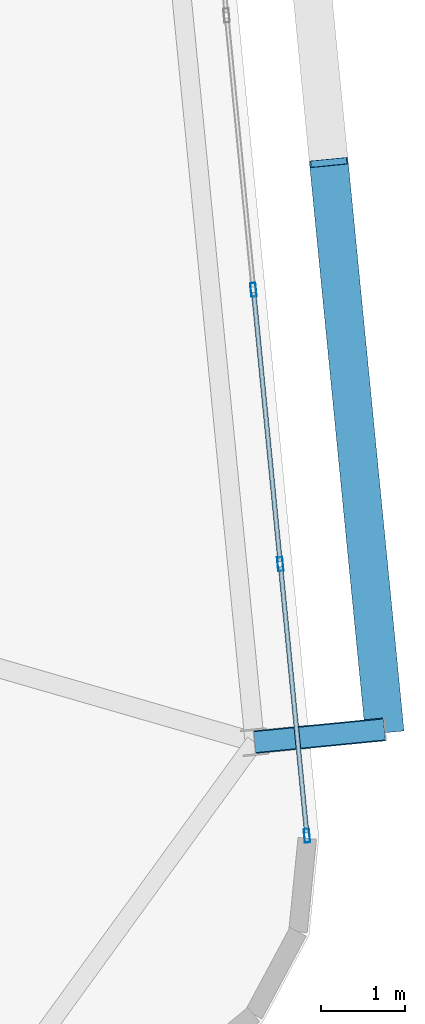
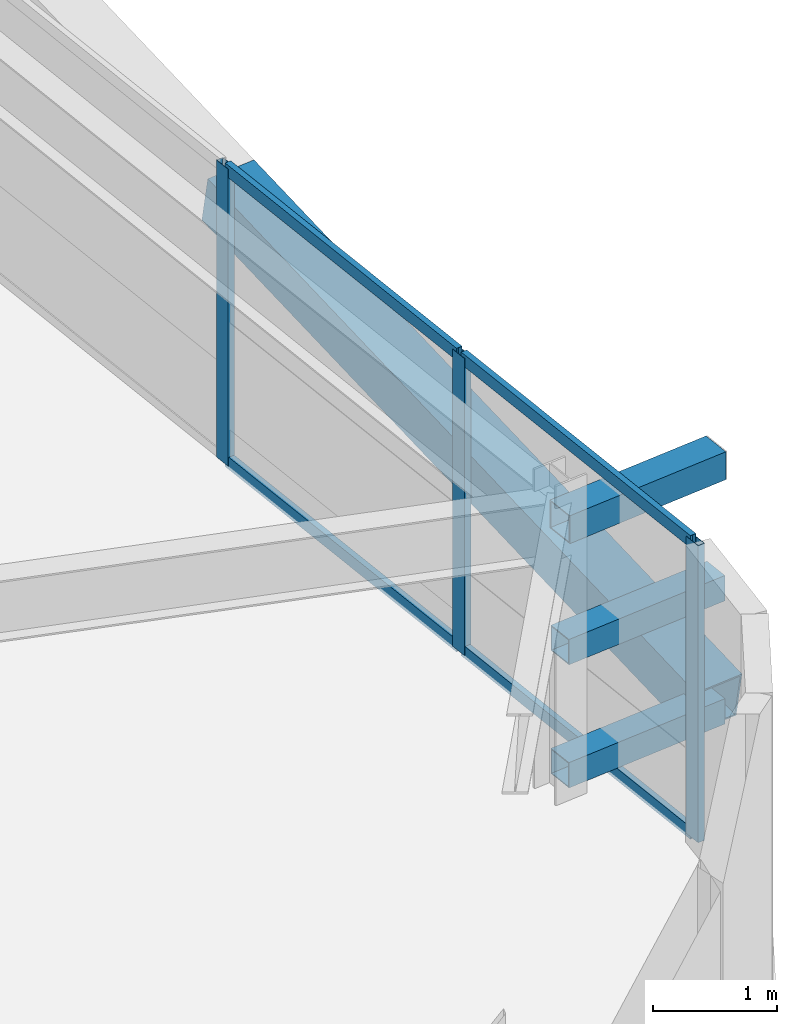
# One storey, part 22 of 53: 11 members, 1 element without a shape of its own.
"""IFC4 building model written with IfcOpenShell, lengths in metres."""

from ifc_helpers import new_model, si_unit, direction, frame, origin, origin_2d, place, context, subcontext, project, spatial, hollow_rectangle, extrude, source, transform, mapped, material, layer, layer_set, material_profile, profile_set, type_object, element, aggregate, save


model = new_model("IFC4")

# Units and contexts
model_context = context("Model", 3, precision=1e-05, world=origin(), true_north=direction((0.0, 1.0)))
body_context = subcontext(model_context, "Body", "Model", "MODEL_VIEW")
ifc_project = project(units=[si_unit("LENGTHUNIT", "METRE"), si_unit("AREAUNIT", "SQUARE_METRE"), si_unit("VOLUMEUNIT", "CUBIC_METRE"), si_unit("PLANEANGLEUNIT", "RADIAN"), si_unit("MASSUNIT", "GRAM", prefix="KILO")], contexts=[model_context])

# Site, building, storey
site_placement = place(None, origin())
site = spatial("IfcSite", under=ifc_project, at=site_placement, CompositionType="ELEMENT")
building_placement = place(site_placement, origin())
building = spatial("IfcBuilding", under=site, at=building_placement, Name="Taldren Reach Tower", CompositionType="ELEMENT")
storey_placement = place(building_placement, frame((0.0, 0.0, 80.85009765625)))
storey = spatial("IfcBuildingStorey", under=building, at=storey_placement, Name="L24", CompositionType="ELEMENT", Elevation=80.85009765625)

# Members
ifc_material_1 = material(Name="Steel Gr 450 (C450L0)", Category="steel")
ifc_material_profile_1 = material_profile(ifc_material_1, hollow_rectangle(XDim=0.27490234375, YDim=0.27490234375, WallThickness=0.00927734375, at=origin_2d()), Name="275x275x9.3SHS")
ifc_profile_set_1 = profile_set([ifc_material_profile_1], Name="Steel Gr 450 (C450L0)")
member_type_1 = type_object("IfcMemberType", Name="MB-TIE273", PredefinedType="STRUT", material=ifc_profile_set_1)
shared_shape_1 = source(origin(), body_context, "Body", "SweptSolid", [
    extrude(hollow_rectangle(XDim=0.27490234375, YDim=0.27490234375, WallThickness=0.00927734375, at=origin_2d()), origin(), (0.0, 0.0, 1.0), 1.550048828125),
])
member_1_placement = place(storey_placement, frame((65.8916015625, 8.483642578125, 2.64990234375), z_axis=(0.995236318924, 0.097491894511, 0.0), x_axis=(-0.097491894511, 0.995236318924, 0.0)))
element("IfcMember", 1, at=member_1_placement, inside=storey, type_object=member_type_1, Name="Exoskeleton diaphragm tie strut B2-E1 L24", PredefinedType="STRUT", context=body_context, shape_type="MappedRepresentation", body=[
    mapped(shared_shape_1, transform((0.0, 0.0, 0.0), scale=1.0)),
])
ifc_material_2 = material(Name="Steel Gr 350 (C350L0)", Category="steel")
ifc_material_profile_2 = material_profile(ifc_material_2, hollow_rectangle(XDim=0.25, YDim=0.25, WallThickness=0.010009765625, at=origin_2d()), Name="250x250x10.0SHS")
ifc_profile_set_2 = profile_set([ifc_material_profile_2], Name="Steel Gr 350 (C350L0)")
member_type_2 = type_object("IfcMemberType", Name="MB-POST250", PredefinedType="POST", material=ifc_profile_set_2)
shared_shape_2 = source(origin(), body_context, "Body", "SweptSolid", [
    extrude(hollow_rectangle(XDim=0.25, YDim=0.25, WallThickness=0.010009765625, at=origin_2d()), origin(), (0.0, 0.0, 1.0), 1.550048828125),
])
for number, where, z_axis, x_axis, name in (
    (2, (65.8916015625, 8.483642578125, 0.219970703125), (0.995236318924, 0.097491894511, 0.0), (-0.097491894511, 0.995236318924, 0.0), "Exoskeleton base diaphragm tie strut B2-E1 L24"),
    (3, (65.8916015625, 8.483642578125, 1.434814453125), (0.995236318924, 0.097491894511, 0.0), (-0.097491894511, 0.995236318924, 0.0), "Exoskeleton mid-tier diaphragm tie B2-E1 L24"),
):
    element("IfcMember", number, at=place(storey_placement, frame(where, z_axis=z_axis, x_axis=x_axis)), inside=storey, type_object=member_type_2, Name=name, PredefinedType="POST", context=body_context, shape_type="MappedRepresentation", body=[
        mapped(shared_shape_2, transform((0.0, 0.0, 0.0), scale=1.0)),
    ])
ifc_material_profile_3 = material_profile(ifc_material_1, hollow_rectangle(XDim=0.4599609375, YDim=0.4599609375, WallThickness=0.01611328125, at=origin_2d()), Name="460x460x16.0SHS")
ifc_profile_set_3 = profile_set([ifc_material_profile_3], Name="Steel Gr 450 (C450L0)")
member_type_3 = type_object("IfcMemberType", Name="MB-EXO457", PredefinedType="BRACE", material=ifc_profile_set_3)
shared_shape_3 = source(origin(), body_context, "Body", "SweptSolid", [
    extrude(hollow_rectangle(XDim=0.4599609375, YDim=0.4599609375, WallThickness=0.01611328125, at=origin_2d()), origin(), (0.0, 0.0, 1.0), 6.883056640625),
])
member_2_placement = place(storey_placement, frame((67.434326171875, 8.634765625, 0.219970703125), z_axis=(-0.096052059581, 0.979603316657, 0.176497432967), x_axis=(-0.995227290009, -0.097584021339, 0.0)))
element("IfcMember", 4, at=member_2_placement, inside=storey, type_object=member_type_3, Name="Exoskeleton Diagrid Brace B2-E1 L24", PredefinedType="BRACE", context=body_context, shape_type="MappedRepresentation", body=[
    mapped(shared_shape_3, transform((0.0, 0.0, 0.0), scale=1.0)),
])

# Curtain wall, members
ifc_material_3 = material(Name="Aluminium and Low-E Glass Unitised System", Category="aluminium")
ifc_layer = layer(ifc_material_3, 0.159912109375)
ifc_layer_set = layer_set([ifc_layer], Name="Aluminium and Low-E Glass Unitised System")
curtain_wall_type = type_object("IfcCurtainWallType", Name="CW-SYS-3", PredefinedType="NOTDEFINED", material=ifc_layer_set)
curtain_wall_placement = place(storey_placement, origin())
curtain_wall = element("IfcCurtainWall", 5, at=curtain_wall_placement, inside=storey, type_object=curtain_wall_type, Name="Unitised curtain wall CW-L24-E", PredefinedType="NOTDEFINED")
ifc_material_4 = material(Name="Anodised Aluminium 6063-T6", Category="aluminium")
ifc_material_profile_4 = material_profile(ifc_material_4, hollow_rectangle(XDim=0.06494140625, YDim=0.1650390625, WallThickness=0.00390625, at=origin_2d()), Name="ALU-165x65x4RHS")
ifc_profile_set_4 = profile_set([ifc_material_profile_4], Name="Anodised Aluminium 6063-T6")
member_type_4 = type_object("IfcMemberType", Name="CW-MUL-165", PredefinedType="MULLION", material=ifc_profile_set_4)
shared_shape_4 = source(origin(), body_context, "Body", "SweptSolid", [
    extrude(hollow_rectangle(XDim=0.06494140625, YDim=0.1650390625, WallThickness=0.00390625, at=origin_2d()), origin(), (0.0, 0.0, 1.0), 2.929931640625),
])
member_3_placement = place(storey_placement, frame((66.51318359375, 7.371337890625, 0.0), z_axis=(0.0, 0.0, 1.0), x_axis=(-0.99522741555, -0.09758274098, 0.0)))
member_3 = element("IfcMember", 6, at=member_3_placement, type_object=member_type_4, Name="CW-3 mullion 1", PredefinedType="MULLION", context=body_context, shape_type="MappedRepresentation", body=[
    mapped(shared_shape_4, transform((0.0, 0.0, 0.0), scale=1.0)),
])
member_4_placement = place(storey_placement, frame((66.196533203125, 10.60107421875, 0.0), z_axis=(0.0, 0.0, 1.0), x_axis=(-0.99522741555, -0.09758274098, 0.0)))
member_4 = element("IfcMember", 7, at=member_4_placement, type_object=member_type_4, Name="CW-3 mullion 2", PredefinedType="MULLION", context=body_context, shape_type="MappedRepresentation", body=[
    mapped(shared_shape_4, transform((0.0, 0.0, 0.0), scale=1.0)),
])
member_5_placement = place(storey_placement, frame((65.876708984375, 13.86328125, 0.0), z_axis=(0.0, 0.0, 1.0), x_axis=(-0.99522741555, -0.09758274098, 0.0)))
member_5 = element("IfcMember", 8, at=member_5_placement, type_object=member_type_4, Name="CW-3 mullion 3", PredefinedType="MULLION", context=body_context, shape_type="MappedRepresentation", body=[
    mapped(shared_shape_4, transform((0.0, 0.0, 0.0), scale=1.0)),
])
ifc_material_profile_5 = material_profile(ifc_material_4, hollow_rectangle(XDim=0.054931640625, YDim=0.1201171875, WallThickness=0.0029296875, at=origin_2d()), Name="ALU-120x55x3RHS")
ifc_profile_set_5 = profile_set([ifc_material_profile_5], Name="Anodised Aluminium 6063-T6")
member_type_5 = type_object("IfcMemberType", Name="CW-TRN-135", PredefinedType="USERDEFINED", material=ifc_profile_set_5)
shared_shape_5 = source(origin(), body_context, "Body", "SweptSolid", [
    extrude(hollow_rectangle(XDim=0.054931640625, YDim=0.1201171875, WallThickness=0.0029296875, at=origin_2d()), origin(), (0.0, 0.0, 1.0), 3.18017578125),
])
member_6_placement = place(storey_placement, frame((66.510009765625, 7.40380859375, 0.02734375), z_axis=(-0.097572914968, 0.995228378949, 0.0), x_axis=(-0.995228378949, -0.097572914968, 0.0)))
member_6 = element("IfcMember", 9, at=member_6_placement, type_object=member_type_5, Name="CW-3 transom 1.1", ObjectType="TRANSOM", PredefinedType="USERDEFINED", context=body_context, shape_type="MappedRepresentation", body=[
    mapped(shared_shape_5, transform((0.0, 0.0, 0.0), scale=1.0)),
])
member_7_placement = place(storey_placement, frame((66.510009765625, 7.40380859375, 2.90234375), z_axis=(-0.097572914968, 0.995228378949, 0.0), x_axis=(-0.995228378949, -0.097572914968, 0.0)))
member_7 = element("IfcMember", 10, at=member_7_placement, type_object=member_type_5, Name="CW-3 transom 1.2", ObjectType="TRANSOM", PredefinedType="USERDEFINED", context=body_context, shape_type="MappedRepresentation", body=[
    mapped(shared_shape_5, transform((0.0, 0.0, 0.0), scale=1.0)),
])
shared_shape_6 = source(origin(), body_context, "Body", "SweptSolid", [
    extrude(hollow_rectangle(XDim=0.054931640625, YDim=0.1201171875, WallThickness=0.0029296875, at=origin_2d()), origin(), (0.0, 0.0, 1.0), 3.212890625),
])
member_8_placement = place(storey_placement, frame((66.193359375, 10.633544921875, 0.02734375), z_axis=(-0.097569948235, 0.995228669805, 0.0), x_axis=(-0.995228669805, -0.097569948235, 0.0)))
member_8 = element("IfcMember", 11, at=member_8_placement, type_object=member_type_5, Name="CW-3 transom 2.1", ObjectType="TRANSOM", PredefinedType="USERDEFINED", context=body_context, shape_type="MappedRepresentation", body=[
    mapped(shared_shape_6, transform((0.0, 0.0, 0.0), scale=1.0)),
])
member_9_placement = place(storey_placement, frame((66.193359375, 10.633544921875, 2.90234375), z_axis=(-0.097569948235, 0.995228669805, 0.0), x_axis=(-0.995228669805, -0.097569948235, 0.0)))
member_9 = element("IfcMember", 12, at=member_9_placement, type_object=member_type_5, Name="CW-3 transom 2.2", ObjectType="TRANSOM", PredefinedType="USERDEFINED", context=body_context, shape_type="MappedRepresentation", body=[
    mapped(shared_shape_6, transform((0.0, 0.0, 0.0), scale=1.0)),
])
aggregate(curtain_wall, [member_3, member_4, member_5, member_6, member_7, member_8, member_9])

save(model, "model.ifc")
